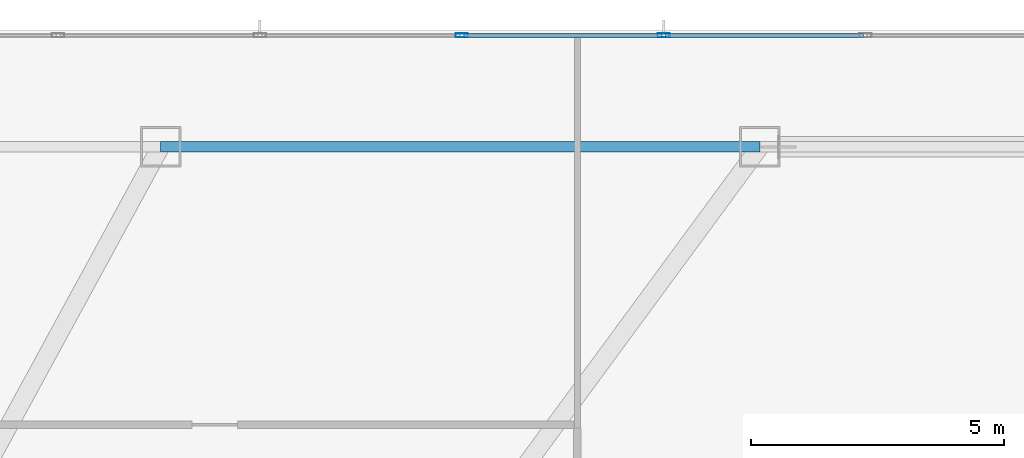
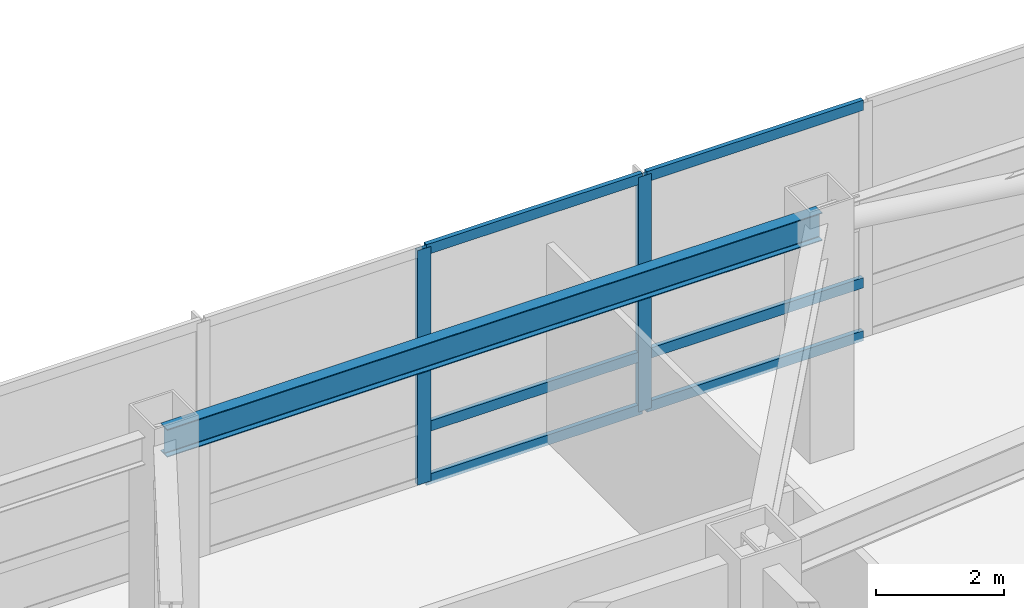
# One storey, part 3 of 16: 8 members, 1 beam, 1 element without a shape of its own.
"""IFC4 building model written with IfcOpenShell, lengths in metres."""

from ifc_helpers import new_model, si_unit, direction, frame, origin, origin_2d, place, context, subcontext, project, spatial, hollow_rectangle, i_section, extrude, material, material_profile, profile_set, type_object, element, aggregate, save


model = new_model("IFC4")

# Units and contexts
model_context = context("Model", 3, precision=1e-05, world=origin(), true_north=direction((0.0, 1.0)))
body_context = subcontext(model_context, "Body", "Model", "MODEL_VIEW")
ifc_project = project(units=[si_unit("LENGTHUNIT", "METRE"), si_unit("AREAUNIT", "SQUARE_METRE"), si_unit("VOLUMEUNIT", "CUBIC_METRE"), si_unit("PLANEANGLEUNIT", "RADIAN"), si_unit("MASSUNIT", "GRAM", prefix="KILO")], contexts=[model_context])

# Site, building, storey
site_placement = place(None, origin())
site = spatial("IfcSite", under=ifc_project, at=site_placement, CompositionType="ELEMENT")
building_placement = place(site_placement, origin())
building = spatial("IfcBuilding", under=site, at=building_placement, Name="Khamvora Tower", CompositionType="ELEMENT")
storey_placement = place(building_placement, frame((0.0, 0.0, 207.0)))
storey = spatial("IfcBuildingStorey", under=building, at=storey_placement, Name="L53", CompositionType="ELEMENT", Elevation=207.0)

# Beam
ifc_material_1 = material(Name="Steel S355", Category="steel")
ifc_material_profile_1 = material_profile(ifc_material_1, i_section(OverallWidth=0.208984375, OverallDepth=0.532958984375, WebThickness=0.010009765625, FlangeThickness=0.01611328125, FilletRadius=0.013916015625, at=origin_2d()), Name="W530x92")
ifc_profile_set_1 = profile_set([ifc_material_profile_1], Name="Steel S355")
beam_type = type_object("IfcBeamType", Name="BM-SP-W530x92", PredefinedType="SPANDREL", material=ifc_profile_set_1)
beam_placement = place(storey_placement, frame((44.9169921875, 44.5, 4.212890625), z_axis=(-1.0, 0.0, 0.0), x_axis=(0.0, -1.0, 0.0)))
element("IfcBeam", 1, at=beam_placement, inside=storey, type_object=beam_type, Name="L53 perimeter spandrel beam N3-N2", PredefinedType="SPANDREL", context=body_context, shape_type="SweptSolid", body=[
    extrude(i_section(OverallWidth=0.208984375, OverallDepth=0.532958984375, WebThickness=0.010009765625, FlangeThickness=0.01611328125, FilletRadius=0.013916015625, at=origin_2d()), origin(), (0.0, 0.0, 1.0), 11.833984375),
])

# Curtain wall, members
ifc_material_2 = material(Name="Anodised Aluminium 6063-T6", Category="aluminium")
curtain_wall_type = type_object("IfcCurtainWallType", Name="CW-SYS-06", PredefinedType="NOTDEFINED", material=ifc_material_2)
curtain_wall_placement = place(storey_placement, origin())
curtain_wall = element("IfcCurtainWall", 2, at=curtain_wall_placement, inside=storey, type_object=curtain_wall_type, Name="L53 stick curtain wall 07.1", PredefinedType="NOTDEFINED")
ifc_material_profile_2 = material_profile(ifc_material_2, hollow_rectangle(XDim=0.080078125, YDim=0.239990234375, WallThickness=0.0048828125, at=origin_2d()), Name="MUL80x240x5")
ifc_profile_set_2 = profile_set([ifc_material_profile_2], Name="Anodised Aluminium 6063-T6")
member_type_1 = type_object("IfcMemberType", Name="CW-SYS-06-MUL", PredefinedType="MULLION", material=ifc_profile_set_2)
member_1_placement = place(storey_placement, frame((39.030517578125, 46.699951171875, 0.0), z_axis=(0.0, 0.0, 1.0), x_axis=(0.0, 1.0, 0.0)))
member_1 = element("IfcMember", 3, at=member_1_placement, type_object=member_type_1, Name="CW-06 mullion 6", PredefinedType="MULLION", context=body_context, shape_type="SweptSolid", body=[
    extrude(hollow_rectangle(XDim=0.080078125, YDim=0.239990234375, WallThickness=0.0048828125, at=origin_2d()), origin(), (0.0, 0.0, 1.0), 4.47998046875),
])
member_2_placement = place(storey_placement, frame((43.01611328125, 46.699951171875, 0.0), z_axis=(0.0, 0.0, 1.0), x_axis=(0.0, 1.0, 0.0)))
member_2 = element("IfcMember", 4, at=member_2_placement, type_object=member_type_1, Name="CW-06 mullion 7", PredefinedType="MULLION", context=body_context, shape_type="SweptSolid", body=[
    extrude(hollow_rectangle(XDim=0.080078125, YDim=0.239990234375, WallThickness=0.0048828125, at=origin_2d()), origin(), (0.0, 0.0, 1.0), 4.47998046875),
])
ifc_material_profile_3 = material_profile(ifc_material_2, hollow_rectangle(XDim=0.080078125, YDim=0.195068359375, WallThickness=0.0048828125, at=origin_2d()), Name="TRN80x195x5")
ifc_profile_set_3 = profile_set([ifc_material_profile_3], Name="Anodised Aluminium 6063-T6")
member_type_2 = type_object("IfcMemberType", Name="CW-SYS-06-TRN", PredefinedType="USERDEFINED", material=ifc_profile_set_3)
member_3_placement = place(storey_placement, frame((39.070556640625, 46.699951171875, 0.0400390625), z_axis=(1.0, 0.0, 0.0), x_axis=(0.0, 1.0, 0.0)))
member_3 = element("IfcMember", 5, at=member_3_placement, type_object=member_type_2, Name="CW-06 transom 6.1", ObjectType="TRANSOM", PredefinedType="USERDEFINED", context=body_context, shape_type="SweptSolid", body=[
    extrude(hollow_rectangle(XDim=0.080078125, YDim=0.195068359375, WallThickness=0.0048828125, at=origin_2d()), origin(), (0.0, 0.0, 1.0), 3.90576171875),
])
member_4_placement = place(storey_placement, frame((39.070556640625, 46.699951171875, 1.050048828125), z_axis=(1.0, 0.0, 0.0), x_axis=(0.0, 1.0, 0.0)))
member_4 = element("IfcMember", 6, at=member_4_placement, type_object=member_type_2, Name="CW-06 transom 6.2", ObjectType="TRANSOM", PredefinedType="USERDEFINED", context=body_context, shape_type="SweptSolid", body=[
    extrude(hollow_rectangle(XDim=0.080078125, YDim=0.195068359375, WallThickness=0.0048828125, at=origin_2d()), origin(), (0.0, 0.0, 1.0), 3.90576171875),
])
member_5_placement = place(storey_placement, frame((39.070556640625, 46.699951171875, 4.43994140625), z_axis=(1.0, 0.0, 0.0), x_axis=(0.0, 1.0, 0.0)))
member_5 = element("IfcMember", 7, at=member_5_placement, type_object=member_type_2, Name="CW-06 transom 6.3", ObjectType="TRANSOM", PredefinedType="USERDEFINED", context=body_context, shape_type="SweptSolid", body=[
    extrude(hollow_rectangle(XDim=0.080078125, YDim=0.195068359375, WallThickness=0.0048828125, at=origin_2d()), origin(), (0.0, 0.0, 1.0), 3.90576171875),
])
member_6_placement = place(storey_placement, frame((43.05615234375, 46.699951171875, 0.0400390625), z_axis=(1.0, 0.0, 0.0), x_axis=(0.0, 1.0, 0.0)))
member_6 = element("IfcMember", 8, at=member_6_placement, type_object=member_type_2, Name="CW-06 transom 7.1", ObjectType="TRANSOM", PredefinedType="USERDEFINED", context=body_context, shape_type="SweptSolid", body=[
    extrude(hollow_rectangle(XDim=0.080078125, YDim=0.195068359375, WallThickness=0.0048828125, at=origin_2d()), origin(), (0.0, 0.0, 1.0), 3.90576171875),
])
member_7_placement = place(storey_placement, frame((43.05615234375, 46.699951171875, 1.050048828125), z_axis=(1.0, 0.0, 0.0), x_axis=(0.0, 1.0, 0.0)))
member_7 = element("IfcMember", 9, at=member_7_placement, type_object=member_type_2, Name="CW-06 transom 7.2", ObjectType="TRANSOM", PredefinedType="USERDEFINED", context=body_context, shape_type="SweptSolid", body=[
    extrude(hollow_rectangle(XDim=0.080078125, YDim=0.195068359375, WallThickness=0.0048828125, at=origin_2d()), origin(), (0.0, 0.0, 1.0), 3.90576171875),
])
member_8_placement = place(storey_placement, frame((43.05615234375, 46.699951171875, 4.43994140625), z_axis=(1.0, 0.0, 0.0), x_axis=(0.0, 1.0, 0.0)))
member_8 = element("IfcMember", 10, at=member_8_placement, type_object=member_type_2, Name="CW-06 transom 7.3", ObjectType="TRANSOM", PredefinedType="USERDEFINED", context=body_context, shape_type="SweptSolid", body=[
    extrude(hollow_rectangle(XDim=0.080078125, YDim=0.195068359375, WallThickness=0.0048828125, at=origin_2d()), origin(), (0.0, 0.0, 1.0), 3.90576171875),
])
aggregate(curtain_wall, [member_1, member_2, member_3, member_4, member_5, member_6, member_7, member_8])

save(model, "model.ifc")
